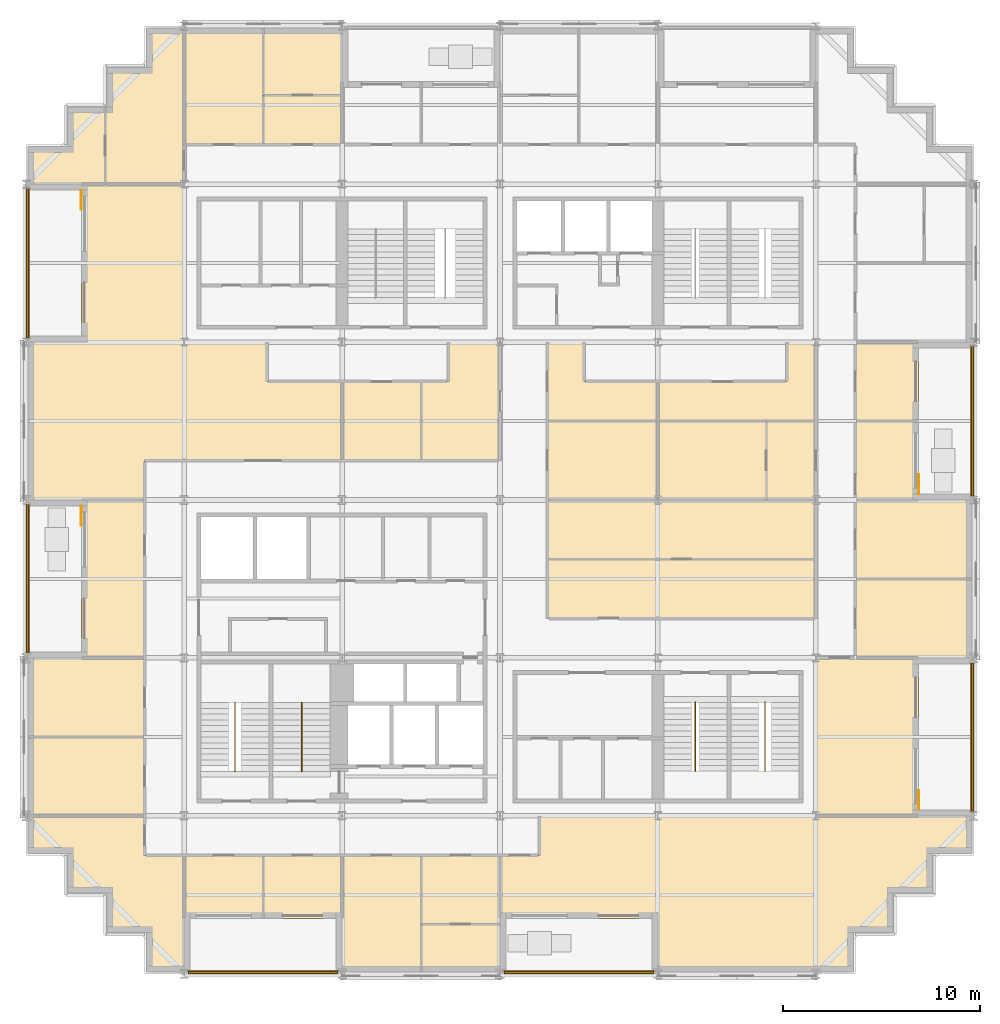
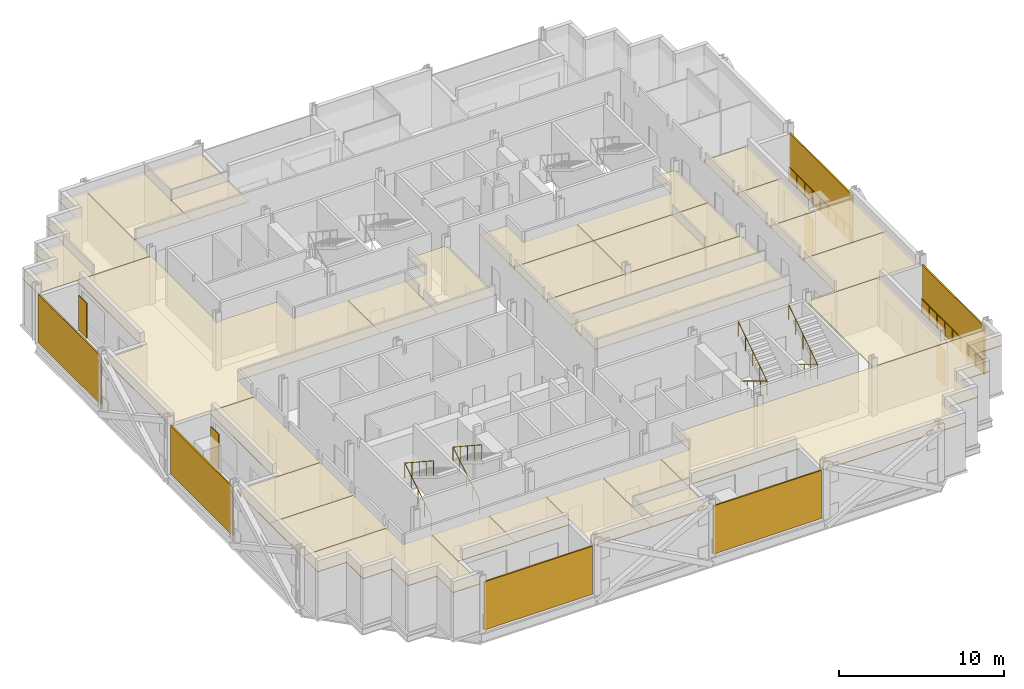
# One storey, part 13 of 15: 30 coverings, 10 railings, 10 shading devices.
"""IFC4 building model written with IfcOpenShell, lengths in metres."""

from ifc_helpers import new_model, si_unit, direction, frame, origin, origin_2d, place, context, subcontext, project, spatial, polyline, rectangle, circle, outline, extrude, material, layer, layer_set, type_object, element, save


model = new_model("IFC4")

# Units and contexts
model_context = context("Model", 3, precision=1e-05, world=origin(), true_north=direction((0.0, 1.0)))
body_context = subcontext(model_context, "Body", "Model", "MODEL_VIEW")
ifc_project = project(units=[si_unit("LENGTHUNIT", "METRE"), si_unit("AREAUNIT", "SQUARE_METRE"), si_unit("VOLUMEUNIT", "CUBIC_METRE"), si_unit("PLANEANGLEUNIT", "RADIAN"), si_unit("MASSUNIT", "GRAM", prefix="KILO")], contexts=[model_context])

# Site, building, storey
site_placement = place(None, origin())
site = spatial("IfcSite", under=ifc_project, at=site_placement, CompositionType="ELEMENT")
building_placement = place(site_placement, origin())
building = spatial("IfcBuilding", under=site, at=building_placement, Name="Immortelle Media Tower", CompositionType="ELEMENT")
storey_placement = place(building_placement, frame((0.0, 0.0, 70.0)))
storey = spatial("IfcBuildingStorey", under=building, at=storey_placement, Name="L12", CompositionType="ELEMENT", Elevation=70.0)

# Railings
ifc_material_1 = material(Name="Powder-coated aluminium fretwork panel, laminated glass backing", Category="aluminium")
railing_type_1 = type_object("IfcRailingType", Name="Fretwork balustrade 1100", PredefinedType="BALUSTRADE", material=ifc_material_1)
railing_1_placement = place(storey_placement, frame((0.139892578125, 39.800537109375, 0.0)))
element("IfcRailing", 1, at=railing_1_placement, inside=storey, type_object=railing_type_1, Name="Fretwork balustrade L12 W0", PredefinedType="BALUSTRADE", context=body_context, shape_type="SweptSolid", body=[
    extrude(circle(Radius=0.02490234375, at=origin_2d()), frame((0.0, 0.0, 1.0751953125), z_axis=(0.0, -1.0, 0.0), x_axis=(1.0, 0.0, 0.0)), (0.0, 0.0, 1.0), 7.58349609375),
    extrude(circle(Radius=0.02001953125, at=origin_2d()), origin(), (0.0, 0.0, 1.0), 1.050048828125),
    extrude(circle(Radius=0.02001953125, at=origin_2d()), frame((0.0, -0.947998046875, 0.0)), (0.0, 0.0, 1.0), 1.050048828125),
    extrude(circle(Radius=0.02001953125, at=origin_2d()), frame((0.0, -1.89599609375, 0.0)), (0.0, 0.0, 1.0), 1.050048828125),
    extrude(circle(Radius=0.02001953125, at=origin_2d()), frame((0.0, -2.84375, 0.0)), (0.0, 0.0, 1.0), 1.050048828125),
    extrude(circle(Radius=0.02001953125, at=origin_2d()), frame((0.0, -3.791748046875, 0.0)), (0.0, 0.0, 1.0), 1.050048828125),
    extrude(circle(Radius=0.02001953125, at=origin_2d()), frame((0.0, -4.73974609375, 0.0)), (0.0, 0.0, 1.0), 1.050048828125),
    extrude(circle(Radius=0.02001953125, at=origin_2d()), frame((0.0, -5.6875, 0.0)), (0.0, 0.0, 1.0), 1.050048828125),
    extrude(circle(Radius=0.02001953125, at=origin_2d()), frame((0.0, -6.635498046875, 0.0)), (0.0, 0.0, 1.0), 1.050048828125),
    extrude(circle(Radius=0.02001953125, at=origin_2d()), frame((0.0, -7.58349609375, 0.0)), (0.0, 0.0, 1.0), 1.050048828125),
])
railing_2_placement = place(storey_placement, frame((0.139892578125, 23.782958984375, 0.0)))
element("IfcRailing", 2, at=railing_2_placement, inside=storey, type_object=railing_type_1, Name="Fretwork balustrade L12 W2", PredefinedType="BALUSTRADE", context=body_context, shape_type="SweptSolid", body=[
    extrude(circle(Radius=0.02490234375, at=origin_2d()), frame((0.0, 0.0, 1.0751953125), z_axis=(0.0, -1.0, 0.0), x_axis=(1.0, 0.0, 0.0)), (0.0, 0.0, 1.0), 7.533935546875),
    extrude(circle(Radius=0.02001953125, at=origin_2d()), origin(), (0.0, 0.0, 1.0), 1.050048828125),
    extrude(circle(Radius=0.02001953125, at=origin_2d()), frame((0.0, -0.941650390625, 0.0)), (0.0, 0.0, 1.0), 1.050048828125),
    extrude(circle(Radius=0.02001953125, at=origin_2d()), frame((0.0, -1.883544921875, 0.0)), (0.0, 0.0, 1.0), 1.050048828125),
    extrude(circle(Radius=0.02001953125, at=origin_2d()), frame((0.0, -2.8251953125, 0.0)), (0.0, 0.0, 1.0), 1.050048828125),
    extrude(circle(Radius=0.02001953125, at=origin_2d()), frame((0.0, -3.76708984375, 0.0)), (0.0, 0.0, 1.0), 1.050048828125),
    extrude(circle(Radius=0.02001953125, at=origin_2d()), frame((0.0, -4.708740234375, 0.0)), (0.0, 0.0, 1.0), 1.050048828125),
    extrude(circle(Radius=0.02001953125, at=origin_2d()), frame((0.0, -5.650390625, 0.0)), (0.0, 0.0, 1.0), 1.050048828125),
    extrude(circle(Radius=0.02001953125, at=origin_2d()), frame((0.0, -6.59228515625, 0.0)), (0.0, 0.0, 1.0), 1.050048828125),
    extrude(circle(Radius=0.02001953125, at=origin_2d()), frame((0.0, -7.533935546875, 0.0)), (0.0, 0.0, 1.0), 1.050048828125),
])
railing_3_placement = place(storey_placement, frame((8.20947265625, 0.139892578125, 0.0)))
element("IfcRailing", 3, at=railing_3_placement, inside=storey, type_object=railing_type_1, Name="Fretwork balustrade L12 S0", PredefinedType="BALUSTRADE", context=body_context, shape_type="SweptSolid", body=[
    extrude(circle(Radius=0.02490234375, at=origin_2d()), frame((0.0, 0.0, 1.0751953125), z_axis=(1.0, 0.0, 0.0), x_axis=(0.0, 1.0, 0.0)), (0.0, 0.0, 1.0), 7.574462890625),
    extrude(circle(Radius=0.02001953125, at=origin_2d()), origin(), (0.0, 0.0, 1.0), 1.050048828125),
    extrude(circle(Radius=0.02001953125, at=origin_2d()), frame((0.94677734375, 0.0, 0.0)), (0.0, 0.0, 1.0), 1.050048828125),
    extrude(circle(Radius=0.02001953125, at=origin_2d()), frame((1.8935546875, 0.0, 0.0)), (0.0, 0.0, 1.0), 1.050048828125),
    extrude(circle(Radius=0.02001953125, at=origin_2d()), frame((2.84033203125, 0.0, 0.0)), (0.0, 0.0, 1.0), 1.050048828125),
    extrude(circle(Radius=0.02001953125, at=origin_2d()), frame((3.787109375, 0.0, 0.0)), (0.0, 0.0, 1.0), 1.050048828125),
    extrude(circle(Radius=0.02001953125, at=origin_2d()), frame((4.734130859375, 0.0, 0.0)), (0.0, 0.0, 1.0), 1.050048828125),
    extrude(circle(Radius=0.02001953125, at=origin_2d()), frame((5.680908203125, 0.0, 0.0)), (0.0, 0.0, 1.0), 1.050048828125),
    extrude(circle(Radius=0.02001953125, at=origin_2d()), frame((6.627685546875, 0.0, 0.0)), (0.0, 0.0, 1.0), 1.050048828125),
    extrude(circle(Radius=0.02001953125, at=origin_2d()), frame((7.574462890625, 0.0, 0.0)), (0.0, 0.0, 1.0), 1.050048828125),
])
railing_4_placement = place(storey_placement, frame((24.216064453125, 0.139892578125, 0.0)))
element("IfcRailing", 4, at=railing_4_placement, inside=storey, type_object=railing_type_1, Name="Fretwork balustrade L12 S2", PredefinedType="BALUSTRADE", context=body_context, shape_type="SweptSolid", body=[
    extrude(circle(Radius=0.02490234375, at=origin_2d()), frame((0.0, 0.0, 1.0751953125), z_axis=(1.0, 0.0, 0.0), x_axis=(0.0, 1.0, 0.0)), (0.0, 0.0, 1.0), 7.56787109375),
    extrude(circle(Radius=0.02001953125, at=origin_2d()), origin(), (0.0, 0.0, 1.0), 1.050048828125),
    extrude(circle(Radius=0.02001953125, at=origin_2d()), frame((0.946044921875, 0.0, 0.0)), (0.0, 0.0, 1.0), 1.050048828125),
    extrude(circle(Radius=0.02001953125, at=origin_2d()), frame((1.89208984375, 0.0, 0.0)), (0.0, 0.0, 1.0), 1.050048828125),
    extrude(circle(Radius=0.02001953125, at=origin_2d()), frame((2.837890625, 0.0, 0.0)), (0.0, 0.0, 1.0), 1.050048828125),
    extrude(circle(Radius=0.02001953125, at=origin_2d()), frame((3.783935546875, 0.0, 0.0)), (0.0, 0.0, 1.0), 1.050048828125),
    extrude(circle(Radius=0.02001953125, at=origin_2d()), frame((4.72998046875, 0.0, 0.0)), (0.0, 0.0, 1.0), 1.050048828125),
    extrude(circle(Radius=0.02001953125, at=origin_2d()), frame((5.67578125, 0.0, 0.0)), (0.0, 0.0, 1.0), 1.050048828125),
    extrude(circle(Radius=0.02001953125, at=origin_2d()), frame((6.621826171875, 0.0, 0.0)), (0.0, 0.0, 1.0), 1.050048828125),
    extrude(circle(Radius=0.02001953125, at=origin_2d()), frame((7.56787109375, 0.0, 0.0)), (0.0, 0.0, 1.0), 1.050048828125),
])
railing_5_placement = place(storey_placement, frame((47.860107421875, 8.2275390625, 0.0)))
element("IfcRailing", 5, at=railing_5_placement, inside=storey, type_object=railing_type_1, Name="Fretwork balustrade L12 E0", PredefinedType="BALUSTRADE", context=body_context, shape_type="SweptSolid", body=[
    extrude(circle(Radius=0.02490234375, at=origin_2d()), frame((0.0, 0.0, 1.0751953125), z_axis=(0.0, 1.0, 0.0), x_axis=(-1.0, 0.0, 0.0)), (0.0, 0.0, 1.0), 7.5234375),
    extrude(circle(Radius=0.02001953125, at=origin_2d()), origin(), (0.0, 0.0, 1.0), 1.050048828125),
    extrude(circle(Radius=0.02001953125, at=origin_2d()), frame((0.0, 0.9404296875, 0.0)), (0.0, 0.0, 1.0), 1.050048828125),
    extrude(circle(Radius=0.02001953125, at=origin_2d()), frame((0.0, 1.880859375, 0.0)), (0.0, 0.0, 1.0), 1.050048828125),
    extrude(circle(Radius=0.02001953125, at=origin_2d()), frame((0.0, 2.8212890625, 0.0)), (0.0, 0.0, 1.0), 1.050048828125),
    extrude(circle(Radius=0.02001953125, at=origin_2d()), frame((0.0, 3.76171875, 0.0)), (0.0, 0.0, 1.0), 1.050048828125),
    extrude(circle(Radius=0.02001953125, at=origin_2d()), frame((0.0, 4.7021484375, 0.0)), (0.0, 0.0, 1.0), 1.050048828125),
    extrude(circle(Radius=0.02001953125, at=origin_2d()), frame((0.0, 5.642578125, 0.0)), (0.0, 0.0, 1.0), 1.050048828125),
    extrude(circle(Radius=0.02001953125, at=origin_2d()), frame((0.0, 6.5830078125, 0.0)), (0.0, 0.0, 1.0), 1.050048828125),
    extrude(circle(Radius=0.02001953125, at=origin_2d()), frame((0.0, 7.5234375, 0.0)), (0.0, 0.0, 1.0), 1.050048828125),
])
railing_6_placement = place(storey_placement, frame((47.860107421875, 24.199462890625, 0.0)))
element("IfcRailing", 6, at=railing_6_placement, inside=storey, type_object=railing_type_1, Name="Fretwork balustrade L12 E2", PredefinedType="BALUSTRADE", context=body_context, shape_type="SweptSolid", body=[
    extrude(circle(Radius=0.02490234375, at=origin_2d()), frame((0.0, 0.0, 1.0751953125), z_axis=(0.0, 1.0, 0.0), x_axis=(-1.0, 0.0, 0.0)), (0.0, 0.0, 1.0), 7.60107421875),
    extrude(circle(Radius=0.02001953125, at=origin_2d()), origin(), (0.0, 0.0, 1.0), 1.050048828125),
    extrude(circle(Radius=0.02001953125, at=origin_2d()), frame((0.0, 0.9501953125, 0.0)), (0.0, 0.0, 1.0), 1.050048828125),
    extrude(circle(Radius=0.02001953125, at=origin_2d()), frame((0.0, 1.900390625, 0.0)), (0.0, 0.0, 1.0), 1.050048828125),
    extrude(circle(Radius=0.02001953125, at=origin_2d()), frame((0.0, 2.850341796875, 0.0)), (0.0, 0.0, 1.0), 1.050048828125),
    extrude(circle(Radius=0.02001953125, at=origin_2d()), frame((0.0, 3.800537109375, 0.0)), (0.0, 0.0, 1.0), 1.050048828125),
    extrude(circle(Radius=0.02001953125, at=origin_2d()), frame((0.0, 4.750732421875, 0.0)), (0.0, 0.0, 1.0), 1.050048828125),
    extrude(circle(Radius=0.02001953125, at=origin_2d()), frame((0.0, 5.70068359375, 0.0)), (0.0, 0.0, 1.0), 1.050048828125),
    extrude(circle(Radius=0.02001953125, at=origin_2d()), frame((0.0, 6.65087890625, 0.0)), (0.0, 0.0, 1.0), 1.050048828125),
    extrude(circle(Radius=0.02001953125, at=origin_2d()), frame((0.0, 7.60107421875, 0.0)), (0.0, 0.0, 1.0), 1.050048828125),
])

# Shading devices
ifc_material_2 = material(Name="Pale aluminium louvre blades", Category="aluminium")
ifc_layer_1 = layer(ifc_material_2, 0.10009765625)
ifc_layer_set_1 = layer_set([ifc_layer_1], Name="Pale aluminium louvre blades")
shading_device_type_1 = type_object("IfcShadingDeviceType", Name="Jalousie screen 100", PredefinedType="JALOUSIE", material=ifc_layer_set_1)
shading_device_1_placement = place(storey_placement, frame((0.050048828125, 36.0087890625, 0.0), z_axis=(0.0, 0.0, 1.0), x_axis=(0.0, -1.0, 0.0)))
element("IfcShadingDevice", 7, at=shading_device_1_placement, inside=storey, type_object=shading_device_type_1, Name="Jalousie screen L12 W0", PredefinedType="JALOUSIE", context=body_context, shape_type="SweptSolid", body=[
    extrude(rectangle(XDim=7.58349609375, YDim=0.10009765625, at=origin_2d()), origin(), (0.0, 0.0, 1.0), 3.556884765625),
])
shading_device_2_placement = place(storey_placement, frame((0.050048828125, 20.01611328125, 0.0), z_axis=(0.0, 0.0, 1.0), x_axis=(0.0, -1.0, 0.0)))
element("IfcShadingDevice", 8, at=shading_device_2_placement, inside=storey, type_object=shading_device_type_1, Name="Jalousie screen L12 W2", PredefinedType="JALOUSIE", context=body_context, shape_type="SweptSolid", body=[
    extrude(rectangle(XDim=7.533935546875, YDim=0.10009765625, at=origin_2d()), origin(), (0.0, 0.0, 1.0), 3.556884765625),
])
shading_device_3_placement = place(storey_placement, frame((11.996826171875, 0.050048828125, 0.0), z_axis=(0.0, 0.0, 1.0), x_axis=(1.0, 0.0, 0.0)))
element("IfcShadingDevice", 9, at=shading_device_3_placement, inside=storey, type_object=shading_device_type_1, Name="Jalousie screen L12 S0", PredefinedType="JALOUSIE", context=body_context, shape_type="SweptSolid", body=[
    extrude(rectangle(XDim=7.574462890625, YDim=0.10009765625, at=origin_2d()), origin(), (0.0, 0.0, 1.0), 3.556884765625),
])
shading_device_4_placement = place(storey_placement, frame((28.0, 0.050048828125, 0.0), z_axis=(0.0, 0.0, 1.0), x_axis=(1.0, 0.0, 0.0)))
element("IfcShadingDevice", 10, at=shading_device_4_placement, inside=storey, type_object=shading_device_type_1, Name="Jalousie screen L12 S2", PredefinedType="JALOUSIE", context=body_context, shape_type="SweptSolid", body=[
    extrude(rectangle(XDim=7.568115234375, YDim=0.10009765625, at=origin_2d()), origin(), (0.0, 0.0, 1.0), 3.556884765625),
])
shading_device_5_placement = place(storey_placement, frame((47.949951171875, 11.9892578125, 0.0), z_axis=(0.0, 0.0, 1.0), x_axis=(0.0, 1.0, 0.0)))
element("IfcShadingDevice", 11, at=shading_device_5_placement, inside=storey, type_object=shading_device_type_1, Name="Jalousie screen L12 E0", PredefinedType="JALOUSIE", context=body_context, shape_type="SweptSolid", body=[
    extrude(rectangle(XDim=7.5234375, YDim=0.10009765625, at=origin_2d()), origin(), (0.0, 0.0, 1.0), 3.556884765625),
])
shading_device_6_placement = place(storey_placement, frame((47.949951171875, 28.0, 0.0), z_axis=(0.0, 0.0, 1.0), x_axis=(0.0, 1.0, 0.0)))
element("IfcShadingDevice", 12, at=shading_device_6_placement, inside=storey, type_object=shading_device_type_1, Name="Jalousie screen L12 E2", PredefinedType="JALOUSIE", context=body_context, shape_type="SweptSolid", body=[
    extrude(rectangle(XDim=7.60107421875, YDim=0.10009765625, at=origin_2d()), origin(), (0.0, 0.0, 1.0), 3.556884765625),
])
ifc_material_3 = material(Name="Pale aluminium louvre blades in a folding frame", Category="aluminium")
ifc_layer_2 = layer(ifc_material_3, 0.050048828125)
ifc_layer_set_2 = layer_set([ifc_layer_2], Name="Pale aluminium louvre blades in a folding frame")
shading_device_type_2 = type_object("IfcShadingDeviceType", Name="Louvred loggia shutter", PredefinedType="SHUTTER", material=ifc_layer_set_2)
for number, where, z_axis, x_axis, name in (
    (13, (2.77490234375, 39.199951171875, 0.0), (0.0, 0.0, 1.0), (0.0, -1.0, 0.0), "Loggia shutter L12 W0"),
    (14, (2.77490234375, 23.199951171875, 0.0), (0.0, 0.0, 1.0), (0.0, -1.0, 0.0), "Loggia shutter L12 W2"),
    (15, (45.22509765625, 8.800048828125, 0.0), (0.0, 0.0, 1.0), (0.0, 1.0, 0.0), "Loggia shutter L12 E0"),
    (16, (45.22509765625, 24.800048828125, 0.0), (0.0, 0.0, 1.0), (0.0, 1.0, 0.0), "Loggia shutter L12 E2"),
):
    element("IfcShadingDevice", number, at=place(storey_placement, frame(where, z_axis=z_axis, x_axis=x_axis)), inside=storey, type_object=shading_device_type_2, Name=name, PredefinedType="SHUTTER", context=body_context, shape_type="SweptSolid", body=[
        extrude(rectangle(XDim=1.0, YDim=0.050048828125, at=origin_2d()), origin(), (0.0, 0.0, 1.0), 2.60009765625),
    ])

# Railings
ifc_material_4 = material(Name="Stainless steel AISI 316", Category="steel")
railing_type_2 = type_object("IfcRailingType", Name="Stair guard 1100", PredefinedType="GUARDRAIL", material=ifc_material_4)
for number, where, name in (
    (17, (10.574951171875, 10.5400390625, 0.176025390625), "Stair guard SW1"),
    (18, (13.949951171875, 10.5400390625, 0.176025390625), "Stair guard SW2"),
):
    element("IfcRailing", number, at=place(storey_placement, frame(where)), inside=storey, type_object=railing_type_2, Name=name, PredefinedType="GUARDRAIL", context=body_context, shape_type="SweptSolid", body=[
        extrude(circle(Radius=0.02392578125, at=origin_2d()), frame((0.0, 0.0, 1.076171875), z_axis=(0.0, 0.854872504309, 0.518838126371), x_axis=(-1.0, 0.0, 0.0)), (0.0, 0.0, 1.0), 3.7314453125),
        extrude(circle(Radius=0.02392578125, at=origin_2d()), frame((0.0, 3.18994140625, 3.01220703125), z_axis=(0.0, -0.835595538677, 0.549345151743), x_axis=(1.0, 0.0, 0.0)), (0.0, 0.0, 1.0), 4.16455078125),
        extrude(circle(Radius=0.02099609375, at=origin_2d()), origin(), (0.0, 0.0, 1.0), 1.052001953125),
        extrude(circle(Radius=0.02099609375, at=origin_2d()), frame((0.0, 0.79736328125, 0.48388671875)), (0.0, 0.0, 1.0), 1.052001953125),
        extrude(circle(Radius=0.02099609375, at=origin_2d()), frame((0.0, 1.594970703125, 0.968017578125)), (0.0, 0.0, 1.0), 1.052001953125),
        extrude(circle(Radius=0.02099609375, at=origin_2d()), frame((0.0, 2.392578125, 1.4521484375)), (0.0, 0.0, 1.0), 1.052001953125),
        extrude(circle(Radius=0.02099609375, at=origin_2d()), frame((0.0, 3.18994140625, 1.93603515625)), (0.0, 0.0, 1.0), 1.052001953125),
        extrude(circle(Radius=0.02099609375, at=origin_2d()), frame((0.0, 2.31982421875, 2.508056640625)), (0.0, 0.0, 1.0), 1.052001953125),
        extrude(circle(Radius=0.02099609375, at=origin_2d()), frame((0.0, 1.449951171875, 3.080078125)), (0.0, 0.0, 1.0), 1.052001953125),
        extrude(circle(Radius=0.02099609375, at=origin_2d()), frame((0.0, 0.580078125, 3.65185546875)), (0.0, 0.0, 1.0), 1.052001953125),
        extrude(circle(Radius=0.02099609375, at=origin_2d()), frame((0.0, -0.2900390625, 4.223876953125)), (0.0, 0.0, 1.0), 1.052001953125),
    ])
for number, where, name in (
    (19, (33.89990234375, 13.4599609375, 0.176025390625), "Stair guard SE1"),
    (20, (37.425048828125, 13.4599609375, 0.176025390625), "Stair guard SE2"),
):
    element("IfcRailing", number, at=place(storey_placement, frame(where)), inside=storey, type_object=railing_type_2, Name=name, PredefinedType="GUARDRAIL", context=body_context, shape_type="SweptSolid", body=[
        extrude(circle(Radius=0.02392578125, at=origin_2d()), frame((0.0, 0.0, 1.076171875), z_axis=(0.0, -0.854872504309, 0.518838126371), x_axis=(1.0, 0.0, 0.0)), (0.0, 0.0, 1.0), 3.7314453125),
        extrude(circle(Radius=0.02392578125, at=origin_2d()), frame((0.0, -3.18994140625, 3.01220703125), z_axis=(0.0, 0.835595538677, 0.549345151743), x_axis=(-1.0, 0.0, 0.0)), (0.0, 0.0, 1.0), 4.16455078125),
        extrude(circle(Radius=0.02099609375, at=origin_2d()), origin(), (0.0, 0.0, 1.0), 1.052001953125),
        extrude(circle(Radius=0.02099609375, at=origin_2d()), frame((0.0, -0.79736328125, 0.48388671875)), (0.0, 0.0, 1.0), 1.052001953125),
        extrude(circle(Radius=0.02099609375, at=origin_2d()), frame((0.0, -1.594970703125, 0.968017578125)), (0.0, 0.0, 1.0), 1.052001953125),
        extrude(circle(Radius=0.02099609375, at=origin_2d()), frame((0.0, -2.392578125, 1.4521484375)), (0.0, 0.0, 1.0), 1.052001953125),
        extrude(circle(Radius=0.02099609375, at=origin_2d()), frame((0.0, -3.18994140625, 1.93603515625)), (0.0, 0.0, 1.0), 1.052001953125),
        extrude(circle(Radius=0.02099609375, at=origin_2d()), frame((0.0, -2.31982421875, 2.508056640625)), (0.0, 0.0, 1.0), 1.052001953125),
        extrude(circle(Radius=0.02099609375, at=origin_2d()), frame((0.0, -1.449951171875, 3.080078125)), (0.0, 0.0, 1.0), 1.052001953125),
        extrude(circle(Radius=0.02099609375, at=origin_2d()), frame((0.0, -0.580078125, 3.65185546875)), (0.0, 0.0, 1.0), 1.052001953125),
        extrude(circle(Radius=0.02099609375, at=origin_2d()), frame((0.0, 0.2900390625, 4.223876953125)), (0.0, 0.0, 1.0), 1.052001953125),
    ])

# Coverings
ifc_material_5 = material(Name="Mineral fibre tile ceiling")
ifc_layer_3 = layer(ifc_material_5, 0.050048828125)
ifc_layer_set_3 = layer_set([ifc_layer_3], Name="Mineral fibre tile ceiling")
covering_type = type_object("IfcCoveringType", Name="Suspended ceiling 50", PredefinedType="CEILING", material=ifc_layer_set_3)
covering_1_placement = place(storey_placement, frame((0.0, 0.0, 3.419921875)))
element("IfcCovering", 21, at=covering_1_placement, inside=storey, type_object=covering_type, Name="Ceiling L12-001", PredefinedType="CEILING", context=body_context, shape_type="SweptSolid", body=[
    extrude(outline(polyline([(16.0, 2.800048828125), (16.0, 6.0), (20.0, 6.0), (20.0, 0.10009765625), (16.0, 0.10009765625), (16.0, 2.800048828125)])), origin(), (0.0, 0.0, 1.0), 0.050048828125),
])
covering_2_placement = place(storey_placement, frame((0.0, 0.0, 3.419921875)))
element("IfcCovering", 22, at=covering_2_placement, inside=storey, type_object=covering_type, Name="Ceiling L12-002", PredefinedType="CEILING", context=body_context, shape_type="SweptSolid", body=[
    extrude(outline(polyline([(24.0, 2.800048828125), (24.0, 2.5), (20.0, 2.5), (20.0, 6.0), (24.0, 6.0), (24.0, 2.800048828125)])), origin(), (0.0, 0.0, 1.0), 0.050048828125),
])
covering_3_placement = place(storey_placement, frame((0.0, 0.0, 3.419921875)))
element("IfcCovering", 23, at=covering_3_placement, inside=storey, type_object=covering_type, Name="Ceiling L12-003", PredefinedType="CEILING", context=body_context, shape_type="SweptSolid", body=[
    extrude(outline(polyline([(24.0, 0.10009765625), (20.0, 0.10009765625), (20.0, 2.5), (24.0, 2.5), (24.0, 0.10009765625)])), origin(), (0.0, 0.0, 1.0), 0.050048828125),
])
covering_4_placement = place(storey_placement, frame((0.0, 0.0, 3.419921875)))
element("IfcCovering", 24, at=covering_4_placement, inside=storey, type_object=covering_type, Name="Ceiling L12-004", PredefinedType="CEILING", context=body_context, shape_type="SweptSolid", body=[
    extrude(outline(polyline([(8.0, 6.0), (12.0, 6.0), (12.0, 2.800048828125), (8.0, 2.800048828125), (8.0, 6.0)])), origin(), (0.0, 0.0, 1.0), 0.050048828125),
])
covering_5_placement = place(storey_placement, frame((0.0, 0.0, 3.419921875)))
element("IfcCovering", 25, at=covering_5_placement, inside=storey, type_object=covering_type, Name="Ceiling L12-005", PredefinedType="CEILING", context=body_context, shape_type="SweptSolid", body=[
    extrude(outline(polyline([(16.0, 6.0), (16.0, 2.800048828125), (12.0, 2.800048828125), (12.0, 6.0), (16.0, 6.0)])), origin(), (0.0, 0.0, 1.0), 0.050048828125),
])
covering_6_placement = place(storey_placement, frame((0.0, 0.0, 3.419921875)))
element("IfcCovering", 26, at=covering_6_placement, inside=storey, type_object=covering_type, Name="Ceiling L12-006", PredefinedType="CEILING", context=body_context, shape_type="SweptSolid", body=[
    extrude(outline(polyline([(24.0, 2.800048828125), (24.0, 6.0), (26.0, 6.0), (26.0, 8.0), (32.0, 8.0), (40.0, 8.0), (45.199951171875, 8.0), (47.89990234375, 8.0), (47.89990234375, 6.10009765625), (45.89990234375, 6.10009765625), (45.89990234375, 4.10009765625), (43.89990234375, 4.10009765625), (43.89990234375, 2.10009765625), (41.89990234375, 2.10009765625), (41.89990234375, 0.10009765625), (40.0, 0.10009765625), (32.0, 0.10009765625), (32.0, 2.800048828125), (24.0, 2.800048828125)])), origin(), (0.0, 0.0, 1.0), 0.050048828125),
])
covering_7_placement = place(storey_placement, frame((0.0, 0.0, 3.419921875)))
element("IfcCovering", 27, at=covering_7_placement, inside=storey, type_object=covering_type, Name="Ceiling L12-007", PredefinedType="CEILING", context=body_context, shape_type="SweptSolid", body=[
    extrude(outline(polyline([(6.10009765625, 0.10009765625), (6.10009765625, 2.10009765625), (4.10009765625, 2.10009765625), (4.10009765625, 4.10009765625), (2.10009765625, 4.10009765625), (2.10009765625, 6.10009765625), (0.10009765625, 6.10009765625), (0.10009765625, 8.0), (6.0, 8.0), (6.0, 6.0), (8.0, 6.0), (8.0, 2.800048828125), (8.0, 0.10009765625), (6.10009765625, 0.10009765625)])), origin(), (0.0, 0.0, 1.0), 0.050048828125),
])
covering_8_placement = place(storey_placement, frame((0.0, 0.0, 3.419921875)))
element("IfcCovering", 28, at=covering_8_placement, inside=storey, type_object=covering_type, Name="Ceiling L12-008", PredefinedType="CEILING", context=body_context, shape_type="SweptSolid", body=[
    extrude(outline(polyline([(0.10009765625, 8.0), (0.10009765625, 12.0), (6.0, 12.0), (6.0, 8.0), (0.10009765625, 8.0)])), origin(), (0.0, 0.0, 1.0), 0.050048828125),
])
covering_9_placement = place(storey_placement, frame((0.0, 0.0, 3.419921875)))
element("IfcCovering", 29, at=covering_9_placement, inside=storey, type_object=covering_type, Name="Ceiling L12-009", PredefinedType="CEILING", context=body_context, shape_type="SweptSolid", body=[
    extrude(outline(polyline([(0.10009765625, 16.0), (2.800048828125, 16.0), (6.0, 16.0), (6.0, 12.0), (0.10009765625, 12.0), (0.10009765625, 16.0)])), origin(), (0.0, 0.0, 1.0), 0.050048828125),
])
covering_10_placement = place(storey_placement, frame((0.0, 0.0, 3.419921875)))
element("IfcCovering", 30, at=covering_10_placement, inside=storey, type_object=covering_type, Name="Ceiling L12-010", PredefinedType="CEILING", context=body_context, shape_type="SweptSolid", body=[
    extrude(outline(polyline([(45.199951171875, 8.0), (40.0, 8.0), (40.0, 16.0), (42.0, 16.0), (45.199951171875, 16.0), (45.199951171875, 8.0)])), origin(), (0.0, 0.0, 1.0), 0.050048828125),
])
covering_11_placement = place(storey_placement, frame((0.0, 0.0, 3.419921875)))
element("IfcCovering", 31, at=covering_11_placement, inside=storey, type_object=covering_type, Name="Ceiling L12-011", PredefinedType="CEILING", context=body_context, shape_type="SweptSolid", body=[
    extrude(outline(polyline([(6.0, 19.449951171875), (6.0, 16.0), (2.800048828125, 16.0), (2.800048828125, 24.0), (6.0, 24.0), (6.0, 19.449951171875)])), origin(), (0.0, 0.0, 1.0), 0.050048828125),
])
covering_12_placement = place(storey_placement, frame((0.0, 0.0, 3.419921875)))
element("IfcCovering", 32, at=covering_12_placement, inside=storey, type_object=covering_type, Name="Ceiling L12-012", PredefinedType="CEILING", context=body_context, shape_type="SweptSolid", body=[
    extrude(outline(polyline([(42.0, 16.0), (42.0, 20.0), (47.89990234375, 20.0), (47.89990234375, 16.0), (45.199951171875, 16.0), (42.0, 16.0)])), origin(), (0.0, 0.0, 1.0), 0.050048828125),
])
covering_13_placement = place(storey_placement, frame((0.0, 0.0, 3.419921875)))
element("IfcCovering", 33, at=covering_13_placement, inside=storey, type_object=covering_type, Name="Ceiling L12-013", PredefinedType="CEILING", context=body_context, shape_type="SweptSolid", body=[
    extrude(outline(polyline([(42.0, 24.0), (45.199951171875, 24.0), (47.89990234375, 24.0), (47.89990234375, 20.0), (42.0, 20.0), (42.0, 24.0)])), origin(), (0.0, 0.0, 1.0), 0.050048828125),
])
covering_14_placement = place(storey_placement, frame((0.0, 0.0, 3.419921875)))
element("IfcCovering", 34, at=covering_14_placement, inside=storey, type_object=covering_type, Name="Ceiling L12-014", PredefinedType="CEILING", context=body_context, shape_type="SweptSolid", body=[
    extrude(outline(polyline([(26.39990234375, 18.0), (26.39990234375, 21.0), (40.0, 21.0), (40.0, 18.0), (38.550048828125, 18.0), (36.0, 18.0), (32.0, 18.0), (27.0, 18.0), (26.39990234375, 18.0)])), origin(), (0.0, 0.0, 1.0), 0.050048828125),
])
covering_15_placement = place(storey_placement, frame((0.0, 0.0, 3.419921875)))
element("IfcCovering", 35, at=covering_15_placement, inside=storey, type_object=covering_type, Name="Ceiling L12-015", PredefinedType="CEILING", context=body_context, shape_type="SweptSolid", body=[
    extrude(outline(polyline([(26.39990234375, 24.0), (32.0, 24.0), (40.0, 24.0), (40.0, 21.0), (26.39990234375, 21.0), (26.39990234375, 24.0)])), origin(), (0.0, 0.0, 1.0), 0.050048828125),
])
covering_16_placement = place(storey_placement, frame((0.0, 0.0, 3.419921875)))
element("IfcCovering", 36, at=covering_16_placement, inside=storey, type_object=covering_type, Name="Ceiling L12-016", PredefinedType="CEILING", context=body_context, shape_type="SweptSolid", body=[
    extrude(outline(polyline([(40.0, 28.0), (40.0, 24.0), (37.5, 24.0), (37.5, 28.0), (40.0, 28.0)])), origin(), (0.0, 0.0, 1.0), 0.050048828125),
])
covering_17_placement = place(storey_placement, frame((0.0, 0.0, 3.419921875)))
element("IfcCovering", 37, at=covering_17_placement, inside=storey, type_object=covering_type, Name="Ceiling L12-017", PredefinedType="CEILING", context=body_context, shape_type="SweptSolid", body=[
    extrude(outline(polyline([(37.5, 28.0), (37.5, 24.0), (32.0, 24.0), (32.0, 28.0), (37.5, 28.0)])), origin(), (0.0, 0.0, 1.0), 0.050048828125),
])
covering_18_placement = place(storey_placement, frame((0.0, 0.0, 3.419921875)))
element("IfcCovering", 38, at=covering_18_placement, inside=storey, type_object=covering_type, Name="Ceiling L12-018", PredefinedType="CEILING", context=body_context, shape_type="SweptSolid", body=[
    extrude(outline(polyline([(32.0, 30.0), (38.550048828125, 30.0), (38.550048828125, 32.0), (40.0, 32.0), (40.0, 28.0), (32.0, 28.0), (32.0, 30.0)])), origin(), (0.0, 0.0, 1.0), 0.050048828125),
])
covering_19_placement = place(storey_placement, frame((0.0, 0.0, 3.419921875)))
element("IfcCovering", 39, at=covering_19_placement, inside=storey, type_object=covering_type, Name="Ceiling L12-019", PredefinedType="CEILING", context=body_context, shape_type="SweptSolid", body=[
    extrude(outline(polyline([(26.39990234375, 28.0), (32.0, 28.0), (32.0, 24.0), (26.39990234375, 24.0), (26.39990234375, 28.0)])), origin(), (0.0, 0.0, 1.0), 0.050048828125),
])
covering_20_placement = place(storey_placement, frame((0.0, 0.0, 3.419921875)))
element("IfcCovering", 40, at=covering_20_placement, inside=storey, type_object=covering_type, Name="Ceiling L12-020", PredefinedType="CEILING", context=body_context, shape_type="SweptSolid", body=[
    extrude(outline(polyline([(26.39990234375, 32.0), (28.25, 32.0), (28.25, 30.0), (32.0, 30.0), (32.0, 28.0), (26.39990234375, 28.0), (26.39990234375, 32.0)])), origin(), (0.0, 0.0, 1.0), 0.050048828125),
])
covering_21_placement = place(storey_placement, frame((0.0, 0.0, 3.419921875)))
element("IfcCovering", 41, at=covering_21_placement, inside=storey, type_object=covering_type, Name="Ceiling L12-021", PredefinedType="CEILING", context=body_context, shape_type="SweptSolid", body=[
    extrude(outline(polyline([(42.0, 24.0), (42.0, 28.0), (45.199951171875, 28.0), (45.199951171875, 24.0), (42.0, 24.0)])), origin(), (0.0, 0.0, 1.0), 0.050048828125),
])
covering_22_placement = place(storey_placement, frame((0.0, 0.0, 3.419921875)))
element("IfcCovering", 42, at=covering_22_placement, inside=storey, type_object=covering_type, Name="Ceiling L12-022", PredefinedType="CEILING", context=body_context, shape_type="SweptSolid", body=[
    extrude(outline(polyline([(42.0, 32.0), (45.199951171875, 32.0), (45.199951171875, 28.0), (42.0, 28.0), (42.0, 32.0)])), origin(), (0.0, 0.0, 1.0), 0.050048828125),
])
covering_23_placement = place(storey_placement, frame((0.0, 0.0, 3.419921875)))
element("IfcCovering", 43, at=covering_23_placement, inside=storey, type_object=covering_type, Name="Ceiling L12-023", PredefinedType="CEILING", context=body_context, shape_type="SweptSolid", body=[
    extrude(outline(polyline([(16.0, 30.0), (20.0, 30.0), (20.0, 26.0), (16.0, 26.0), (16.0, 30.0)])), origin(), (0.0, 0.0, 1.0), 0.050048828125),
])
covering_24_placement = place(storey_placement, frame((0.0, 0.0, 3.419921875)))
element("IfcCovering", 44, at=covering_24_placement, inside=storey, type_object=covering_type, Name="Ceiling L12-024", PredefinedType="CEILING", context=body_context, shape_type="SweptSolid", body=[
    extrude(outline(polyline([(21.39990234375, 30.0), (21.39990234375, 32.0), (24.0, 32.0), (24.0, 26.0), (20.0, 26.0), (20.0, 30.0), (21.39990234375, 30.0)])), origin(), (0.0, 0.0, 1.0), 0.050048828125),
])
covering_25_placement = place(storey_placement, frame((0.0, 0.0, 3.419921875)))
element("IfcCovering", 45, at=covering_25_placement, inside=storey, type_object=covering_type, Name="Ceiling L12-025", PredefinedType="CEILING", context=body_context, shape_type="SweptSolid", body=[
    extrude(outline(polyline([(12.199951171875, 32.0), (12.199951171875, 30.0), (16.0, 30.0), (16.0, 26.0), (8.0, 26.0), (6.0, 26.0), (6.0, 24.0), (2.800048828125, 24.0), (0.10009765625, 24.0), (0.10009765625, 32.0), (2.800048828125, 32.0), (2.800048828125, 40.0), (8.0, 40.0), (8.0, 32.0), (12.199951171875, 32.0)])), origin(), (0.0, 0.0, 1.0), 0.050048828125),
])
covering_26_placement = place(storey_placement, frame((0.0, 0.0, 3.419921875)))
element("IfcCovering", 46, at=covering_26_placement, inside=storey, type_object=covering_type, Name="Ceiling L12-029", PredefinedType="CEILING", context=body_context, shape_type="SweptSolid", body=[
    extrude(outline(polyline([(4.10009765625, 43.89990234375), (4.10009765625, 44.0), (4.10009765625, 45.89990234375), (6.10009765625, 45.89990234375), (6.10009765625, 47.89990234375), (8.0, 47.89990234375), (8.0, 44.0), (8.0, 42.0), (8.0, 40.0), (4.0, 40.0), (4.0, 43.89990234375), (4.10009765625, 43.89990234375)])), origin(), (0.0, 0.0, 1.0), 0.050048828125),
])
covering_27_placement = place(storey_placement, frame((0.0, 0.0, 3.419921875)))
element("IfcCovering", 47, at=covering_27_placement, inside=storey, type_object=covering_type, Name="Ceiling L12-030", PredefinedType="CEILING", context=body_context, shape_type="SweptSolid", body=[
    extrude(outline(polyline([(2.10009765625, 41.89990234375), (2.10009765625, 43.89990234375), (4.0, 43.89990234375), (4.0, 40.0), (2.800048828125, 40.0), (0.10009765625, 40.0), (0.10009765625, 41.89990234375), (2.10009765625, 41.89990234375)])), origin(), (0.0, 0.0, 1.0), 0.050048828125),
])
covering_28_placement = place(storey_placement, frame((0.0, 0.0, 3.419921875)))
element("IfcCovering", 48, at=covering_28_placement, inside=storey, type_object=covering_type, Name="Ceiling L12-035", PredefinedType="CEILING", context=body_context, shape_type="SweptSolid", body=[
    extrude(outline(polyline([(8.0, 47.89990234375), (12.0, 47.89990234375), (12.0, 42.0), (8.0, 42.0), (8.0, 47.89990234375)])), origin(), (0.0, 0.0, 1.0), 0.050048828125),
])
covering_29_placement = place(storey_placement, frame((0.0, 0.0, 3.419921875)))
element("IfcCovering", 49, at=covering_29_placement, inside=storey, type_object=covering_type, Name="Ceiling L12-036", PredefinedType="CEILING", context=body_context, shape_type="SweptSolid", body=[
    extrude(outline(polyline([(16.0, 42.0), (12.0, 42.0), (12.0, 44.5), (16.0, 44.5), (16.0, 42.0)])), origin(), (0.0, 0.0, 1.0), 0.050048828125),
])
covering_30_placement = place(storey_placement, frame((0.0, 0.0, 3.419921875)))
element("IfcCovering", 50, at=covering_30_placement, inside=storey, type_object=covering_type, Name="Ceiling L12-037", PredefinedType="CEILING", context=body_context, shape_type="SweptSolid", body=[
    extrude(outline(polyline([(16.0, 45.199951171875), (16.0, 44.5), (12.0, 44.5), (12.0, 47.89990234375), (16.0, 47.89990234375), (16.0, 45.199951171875)])), origin(), (0.0, 0.0, 1.0), 0.050048828125),
])

save(model, "model.ifc")
